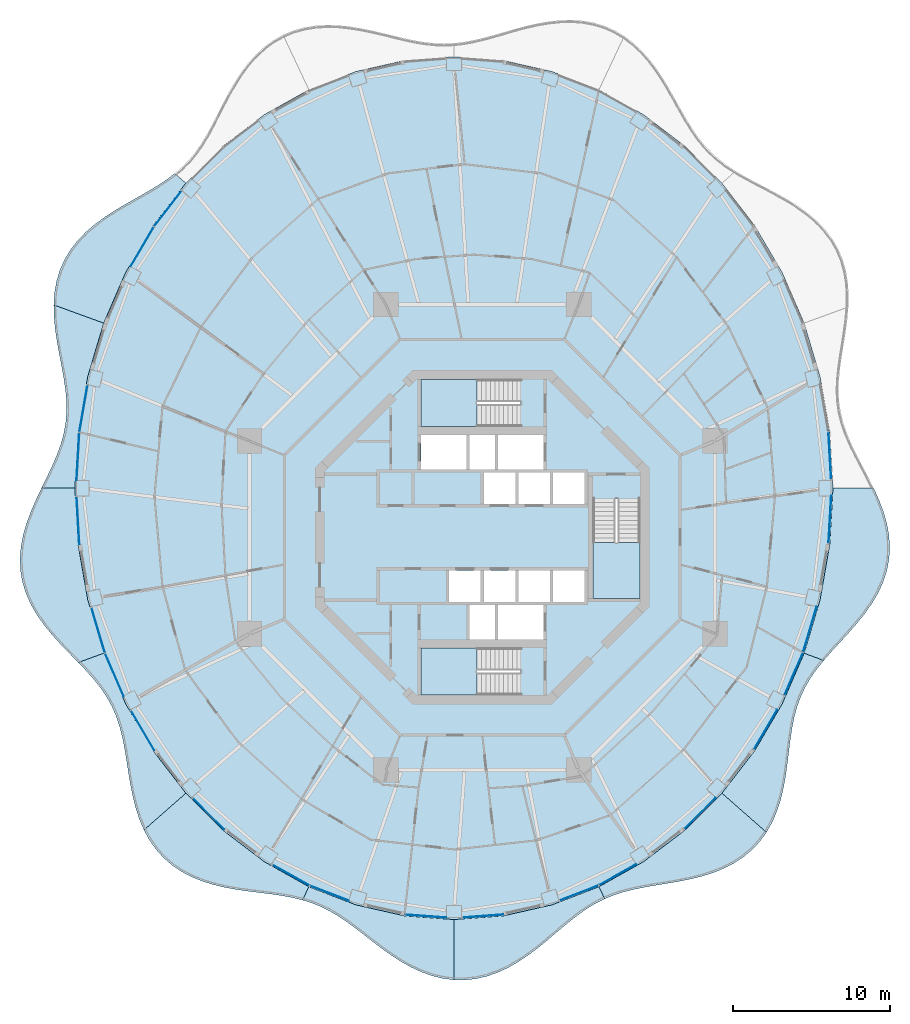
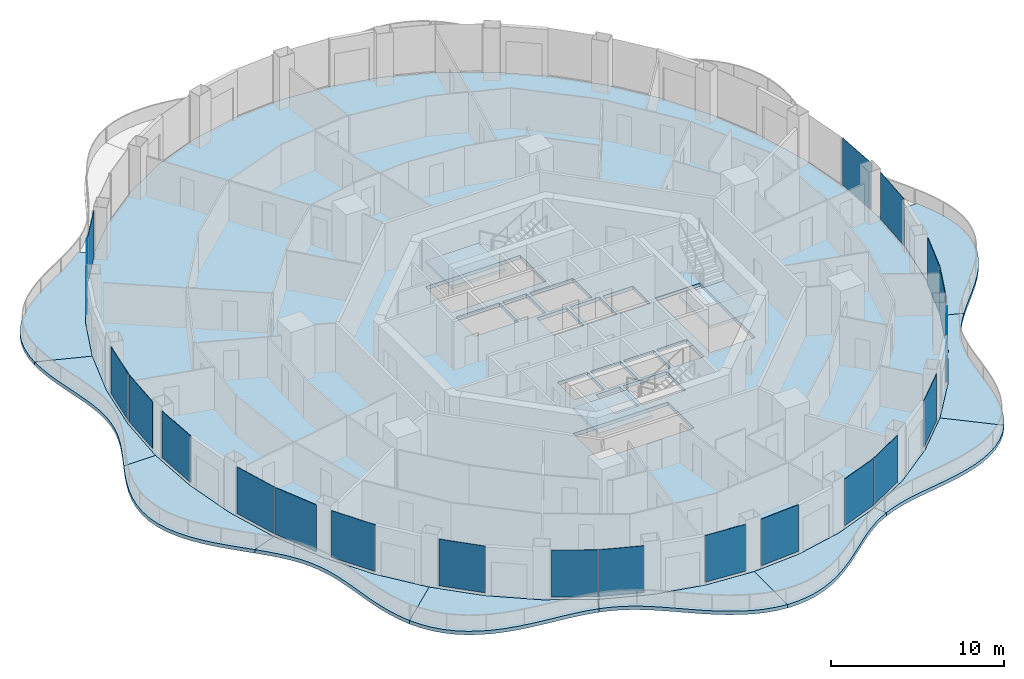
# One storey, part 8 of 18: 21 plates, 14 slabs, 24 elements without a shape of their own.
"""IFC4 building model written with IfcOpenShell, lengths in metres."""

from ifc_helpers import new_model, si_unit, direction, frame, origin, origin_2d, place, context, subcontext, project, spatial, polyline, rectangle, outline, extrude, material, layer, layer_set, type_object, element, aggregate, save


model = new_model("IFC4")

# Units and contexts
model_context = context("Model", 3, precision=1e-05, world=origin(), true_north=direction((0.0, 1.0)))
body_context = subcontext(model_context, "Body", "Model", "MODEL_VIEW")
ifc_project = project(units=[si_unit("LENGTHUNIT", "METRE"), si_unit("AREAUNIT", "SQUARE_METRE"), si_unit("VOLUMEUNIT", "CUBIC_METRE"), si_unit("PLANEANGLEUNIT", "RADIAN"), si_unit("MASSUNIT", "GRAM", prefix="KILO")], contexts=[model_context])

# Site, building, storey
site_placement = place(None, origin())
site = spatial("IfcSite", under=ifc_project, at=site_placement, CompositionType="ELEMENT")
building_placement = place(site_placement, origin())
building = spatial("IfcBuilding", under=site, at=building_placement, Name="Nagisa Residences", CompositionType="ELEMENT")
storey_placement = place(building_placement, frame((0.0, 0.0, 245.5)))
storey = spatial("IfcBuildingStorey", under=building, at=storey_placement, Name="L62", CompositionType="ELEMENT", Elevation=245.5)

# Slabs
ifc_material_1 = material(Name="Concrete C40/50", Category="concrete")
ifc_layer_1 = layer(ifc_material_1, 0.25)
ifc_layer_set_1 = layer_set([ifc_layer_1], Name="BALCONY SLAB 250")
slab_type_1 = type_object("IfcSlabType", Name="BALCONY SLAB 250", PredefinedType="FLOOR", material=ifc_layer_set_1)
slab_1_placement = place(storey_placement, frame((0.0, 0.0, -0.25)))
element("IfcSlab", 1, at=slab_1_placement, inside=storey, type_object=slab_type_1, Name="slab:L62:bal06", PredefinedType="FLOOR", context=body_context, shape_type="SweptSolid", body=[
    extrude(outline(polyline([(-19.5224609375, 23.1025390625), (-20.072509765625, 22.68798828125), (-20.6650390625, 22.297607421875), (-21.29345703125, 21.92138671875), (-21.948974609375, 21.548583984375), (-22.619873046875, 21.168212890625), (-23.291748046875, 20.770263671875), (-23.9501953125, 20.344970703125), (-24.5791015625, 19.88525390625), (-25.1640625, 19.385009765625), (-25.69091796875, 18.84130859375), (-26.148193359375, 18.2529296875), (-26.52734375, 17.621337890625), (-26.82275390625, 16.94970703125), (-27.03271484375, 16.243408203125), (-27.15966796875, 15.509033203125), (-27.209228515625, 14.75390625), (-24.037841796875, 13.599365234375), (-22.645263671875, 16.812744140625), (-20.89599609375, 19.791748046875), (-18.820068359375, 22.4853515625), (-19.5224609375, 23.1025390625)])), origin(), (0.0, 0.0, 1.0), 0.25),
])
slab_2_placement = place(storey_placement, frame((0.0, 0.0, -0.25)))
element("IfcSlab", 2, at=slab_2_placement, inside=storey, type_object=slab_type_1, Name="slab:L62:bal07", PredefinedType="FLOOR", context=body_context, shape_type="SweptSolid", body=[
    extrude(outline(polyline([(-27.209228515625, 14.75390625), (-27.189697265625, 13.96142578125), (-27.111572265625, 13.163818359375), (-26.991455078125, 12.368896484375), (-26.84765625, 11.58349609375), (-26.698974609375, 10.812744140625), (-26.563720703125, 10.0595703125), (-26.458740234375, 9.32568359375), (-26.39892578125, 8.610595703125), (-26.3955078125, 7.912109375), (-26.455078125, 7.2265625), (-26.580810546875, 6.54931640625), (-26.770751953125, 5.87548828125), (-27.018310546875, 5.19970703125), (-27.313232421875, 4.517333984375), (-27.641357421875, 3.82421875), (-27.9853515625, 3.11767578125), (-25.8701171875, 3.11767578125), (-25.6640625, 6.69287109375), (-25.0498046875, 10.206787109375), (-24.037841796875, 13.599365234375), (-27.209228515625, 14.75390625)])), origin(), (0.0, 0.0, 1.0), 0.25),
])
slab_3_placement = place(storey_placement, frame((0.0, 0.0, -0.25)))
element("IfcSlab", 3, at=slab_3_placement, inside=storey, type_object=slab_type_1, Name="slab:L62:bal08", PredefinedType="FLOOR", context=body_context, shape_type="SweptSolid", body=[
    extrude(outline(polyline([(-27.9853515625, 3.11767578125), (-28.326904296875, 2.396484375), (-28.646484375, 1.660888671875), (-28.9248046875, 0.912841796875), (-29.144775390625, 0.155517578125), (-29.290771484375, -0.606201171875), (-29.3515625, -1.36669921875), (-29.31884765625, -2.120361328125), (-29.18994140625, -2.86083984375), (-28.965576171875, -3.5830078125), (-28.65185546875, -4.2822265625), (-28.2587890625, -4.955322265625), (-27.799560546875, -5.601318359375), (-27.290771484375, -6.22021484375), (-26.75, -6.81494140625), (-26.1962890625, -7.389404296875), (-25.64794921875, -7.9501953125), (-24.037841796875, -7.364013671875), (-25.0498046875, -3.971435546875), (-25.6640625, -0.45751953125), (-25.8701171875, 3.11767578125), (-27.9853515625, 3.11767578125)])), origin(), (0.0, 0.0, 1.0), 0.25),
])
slab_4_placement = place(storey_placement, frame((0.0, 0.0, -0.25)))
element("IfcSlab", 4, at=slab_4_placement, inside=storey, type_object=slab_type_1, Name="slab:L62:bal09", PredefinedType="FLOOR", context=body_context, shape_type="SweptSolid", body=[
    extrude(outline(polyline([(-25.64794921875, -7.9501953125), (-25.137451171875, -8.48681640625), (-24.661376953125, -9.024658203125), (-24.229736328125, -9.571044921875), (-23.85009765625, -10.133056640625), (-23.52587890625, -10.717529296875), (-23.25634765625, -11.32958984375), (-23.037841796875, -11.97216796875), (-22.86279296875, -12.646728515625), (-22.720458984375, -13.35205078125), (-22.59814453125, -14.084716796875), (-22.481689453125, -14.838623046875), (-22.355712890625, -15.60546875), (-22.205810546875, -16.37548828125), (-22.017578125, -17.13720703125), (-21.779052734375, -17.87890625), (-21.48046875, -18.587890625), (-18.820068359375, -16.25), (-20.89599609375, -13.556396484375), (-22.645263671875, -10.577392578125), (-24.037841796875, -7.364013671875), (-25.64794921875, -7.9501953125)])), origin(), (0.0, 0.0, 1.0), 0.25),
])
slab_5_placement = place(storey_placement, frame((0.0, 0.0, -0.25)))
element("IfcSlab", 5, at=slab_5_placement, inside=storey, type_object=slab_type_1, Name="slab:L62:bal10", PredefinedType="FLOOR", context=body_context, shape_type="SweptSolid", body=[
    extrude(outline(polyline([(-21.48046875, -18.587890625), (-21.134033203125, -19.22314453125), (-20.7236328125, -19.809326171875), (-20.24951171875, -20.339599609375), (-19.71337890625, -20.808837890625), (-19.120849609375, -21.2138671875), (-18.478515625, -21.554443359375), (-17.79541015625, -21.83349609375), (-17.081787109375, -22.05615234375), (-16.347900390625, -22.229736328125), (-15.604736328125, -22.3642578125), (-14.8623046875, -22.471435546875), (-14.12939453125, -22.5634765625), (-13.413330078125, -22.65380859375), (-12.7197265625, -22.754638671875), (-12.052001953125, -22.87841796875), (-11.41064453125, -23.034912109375), (-11.01123046875, -22.187255859375), (-13.8349609375, -20.602783203125), (-16.452880859375, -18.6123046875), (-18.820068359375, -16.25), (-21.48046875, -18.587890625)])), origin(), (0.0, 0.0, 1.0), 0.25),
])
slab_6_placement = place(storey_placement, frame((0.0, 0.0, -0.25)))
element("IfcSlab", 6, at=slab_6_placement, inside=storey, type_object=slab_type_1, Name="slab:L62:bal11", PredefinedType="FLOOR", context=body_context, shape_type="SweptSolid", body=[
    extrude(outline(polyline([(-11.41064453125, -23.034912109375), (-10.81689453125, -23.224609375), (-10.244140625, -23.456787109375), (-9.688232421875, -23.73388671875), (-9.143798828125, -24.05517578125), (-8.60498046875, -24.4169921875), (-8.0654296875, -24.81298828125), (-7.518798828125, -25.234375), (-6.9599609375, -25.670166015625), (-6.384521484375, -26.10791015625), (-5.78857421875, -26.533447265625), (-5.171142578125, -26.93310546875), (-4.53125, -27.293212890625), (-3.870849609375, -27.600341796875), (-3.1923828125, -27.843505859375), (-2.50048828125, -28.013671875), (-1.800048828125, -28.103759765625), (-1.800048828125, -24.272216796875), (-4.941650390625, -24.0380859375), (-8.02978515625, -23.339111328125), (-11.01123046875, -22.187255859375), (-11.41064453125, -23.034912109375)])), origin(), (0.0, 0.0, 1.0), 0.25),
])
slab_7_placement = place(storey_placement, frame((0.0, 0.0, -0.25)))
element("IfcSlab", 7, at=slab_7_placement, inside=storey, type_object=slab_type_1, Name="slab:L62:bal12", PredefinedType="FLOOR", context=body_context, shape_type="SweptSolid", body=[
    extrude(outline(polyline([(-1.800048828125, -28.103759765625), (-1.0966796875, -28.110595703125), (-0.396728515625, -28.032958984375), (0.2939453125, -27.87353515625), (0.97021484375, -27.6376953125), (1.627685546875, -27.333984375), (2.26318359375, -26.97216796875), (2.875244140625, -26.565185546875), (3.4638671875, -26.1259765625), (4.0302734375, -25.668701171875), (4.578125, -25.20703125), (5.111572265625, -24.75439453125), (5.636474609375, -24.322265625), (6.158447265625, -23.92041015625), (6.684814453125, -23.55615234375), (7.22119140625, -23.234130859375), (7.77392578125, -22.956787109375), (7.4111328125, -22.187255859375), (4.4296875, -23.339111328125), (1.341796875, -24.0380859375), (-1.800048828125, -24.272216796875), (-1.800048828125, -28.103759765625)])), origin(), (0.0, 0.0, 1.0), 0.25),
])
slab_8_placement = place(storey_placement, frame((0.0, 0.0, -0.25)))
element("IfcSlab", 8, at=slab_8_placement, inside=storey, type_object=slab_type_1, Name="slab:L62:bal13", PredefinedType="FLOOR", context=body_context, shape_type="SweptSolid", body=[
    extrude(outline(polyline([(7.77392578125, -22.956787109375), (8.369384765625, -22.71484375), (8.990966796875, -22.515869140625), (9.640380859375, -22.352783203125), (10.3173828125, -22.216552734375), (11.01904296875, -22.095947265625), (11.740478515625, -21.978759765625), (12.474853515625, -21.8525390625), (13.213134765625, -21.70458984375), (13.945556640625, -21.523193359375), (14.6611328125, -21.298095703125), (15.348876953125, -21.02099609375), (15.998291015625, -20.685791015625), (16.599609375, -20.289306640625), (17.145263671875, -19.830322265625), (17.629150390625, -19.310791015625), (18.048095703125, -18.735107421875), (15.219970703125, -16.25), (12.852783203125, -18.6123046875), (10.235107421875, -20.602783203125), (7.4111328125, -22.187255859375), (7.77392578125, -22.956787109375)])), origin(), (0.0, 0.0, 1.0), 0.25),
])
slab_9_placement = place(storey_placement, frame((0.0, 0.0, -0.25)))
element("IfcSlab", 9, at=slab_9_placement, inside=storey, type_object=slab_type_1, Name="slab:L62:bal14", PredefinedType="FLOOR", context=body_context, shape_type="SweptSolid", body=[
    extrude(outline(polyline([(18.048095703125, -18.735107421875), (18.4169921875, -18.07763671875), (18.7158203125, -17.37451171875), (18.951171875, -16.636474609375), (19.13134765625, -15.87548828125), (19.2685546875, -15.102783203125), (19.376220703125, -14.330078125), (19.46923828125, -13.56689453125), (19.563232421875, -12.822265625), (19.672607421875, -12.10205078125), (19.8115234375, -11.410888671875), (19.9912109375, -10.75), (20.220458984375, -10.119140625), (20.50439453125, -9.515625), (20.8447265625, -8.934814453125), (21.23974609375, -8.370849609375), (21.6826171875, -7.817138671875), (20.437744140625, -7.364013671875), (19.045166015625, -10.577392578125), (17.2958984375, -13.556396484375), (15.219970703125, -16.25), (18.048095703125, -18.735107421875)])), origin(), (0.0, 0.0, 1.0), 0.25),
])
slab_10_placement = place(storey_placement, frame((0.0, 0.0, -0.25)))
element("IfcSlab", 10, at=slab_10_placement, inside=storey, type_object=slab_type_1, Name="slab:L62:bal15", PredefinedType="FLOOR", context=body_context, shape_type="SweptSolid", body=[
    extrude(outline(polyline([(21.6826171875, -7.817138671875), (22.1806640625, -7.248779296875), (22.705810546875, -6.675537109375), (23.242431640625, -6.09033203125), (23.771728515625, -5.487548828125), (24.275390625, -4.862548828125), (24.734375, -4.212646484375), (25.13232421875, -3.537109375), (25.4541015625, -2.83740234375), (25.689208984375, -2.11572265625), (25.829833984375, -1.376953125), (25.873779296875, -0.6259765625), (25.822509765625, 0.131591796875), (25.682861328125, 0.8896484375), (25.465087890625, 1.642822265625), (25.183349609375, 2.38671875), (24.854736328125, 3.11767578125), (22.27001953125, 3.11767578125), (22.06396484375, -0.45751953125), (21.449951171875, -3.971435546875), (20.437744140625, -7.364013671875), (21.6826171875, -7.817138671875)])), origin(), (0.0, 0.0, 1.0), 0.25),
])

# Curtain wall, plate
ifc_material_2 = material(Name="Concrete-coloured aluminium curtain wall system", Category="concrete")
ifc_layer_2 = layer(ifc_material_2, 0.159912109375)
ifc_layer_set_2 = layer_set([ifc_layer_2], Name="CW1 CURTAIN WALL")
curtain_wall_type = type_object("IfcCurtainWallType", Name="CW1 CURTAIN WALL", PredefinedType="NOTDEFINED", material=ifc_layer_set_2)
curtain_wall_1_placement = place(storey_placement, origin())
curtain_wall_1 = element("IfcCurtainWall", 11, at=curtain_wall_1_placement, inside=storey, type_object=curtain_wall_type, Name="cw:CW1:L62:00", PredefinedType="NOTDEFINED")
ifc_material_3 = material(Name="Clear laminated glass", Category="glass")
ifc_layer_3 = layer(ifc_material_3, 0.028076171875)
ifc_layer_set_3 = layer_set([ifc_layer_3], Name="CW1 GLASS PANEL")
plate_type = type_object("IfcPlateType", Name="CW1 GLASS PANEL", PredefinedType="CURTAIN_PANEL", material=ifc_layer_set_3)
plate_1_placement = place(storey_placement, frame((22.071044921875, 5.18017578125, 0.14990234375), z_axis=(0.0, 0.0, 1.0), x_axis=(-0.057503492216, 0.998345305184, 0.0)))
plate_1 = element("IfcPlate", 12, at=plate_1_placement, type_object=plate_type, Name="CW1 panel", PredefinedType="CURTAIN_PANEL", context=body_context, shape_type="SweptSolid", body=[
    extrude(rectangle(XDim=3.02099609375, YDim=0.028076171875, at=origin_2d()), origin(), (0.0, 0.0, 1.0), 3.2900390625),
])
aggregate(curtain_wall_1, [plate_1])

curtain_wall_2_placement = place(storey_placement, origin())
curtain_wall_2 = element("IfcCurtainWall", 13, at=curtain_wall_2_placement, inside=storey, type_object=curtain_wall_type, Name="cw:CW1:L62:18", PredefinedType="NOTDEFINED")
plate_2_placement = place(storey_placement, frame((-19.965576171875, 20.867919921875, 0.14990234375), z_axis=(0.0, 0.0, 1.0), x_axis=(-0.610429828235, -0.792070340816, 0.0)))
plate_2 = element("IfcPlate", 14, at=plate_2_placement, type_object=plate_type, Name="CW1 panel", PredefinedType="CURTAIN_PANEL", context=body_context, shape_type="SweptSolid", body=[
    extrude(rectangle(XDim=2.8408203125, YDim=0.028076171875, at=origin_2d()), origin(), (0.0, 0.0, 1.0), 3.2900390625),
])
aggregate(curtain_wall_2, [plate_2])

curtain_wall_3_placement = place(storey_placement, origin())
curtain_wall_3 = element("IfcCurtainWall", 15, at=curtain_wall_3_placement, inside=storey, type_object=curtain_wall_type, Name="cw:CW1:L62:19", PredefinedType="NOTDEFINED")
plate_3_placement = place(storey_placement, frame((-21.59033203125, 18.451416015625, 0.14990234375), z_axis=(0.0, 0.0, 1.0), x_axis=(-0.506348567002, -0.862328898214, 0.0)))
plate_3 = element("IfcPlate", 16, at=plate_3_placement, type_object=plate_type, Name="CW1 panel", PredefinedType="CURTAIN_PANEL", context=body_context, shape_type="SweptSolid", body=[
    extrude(rectangle(XDim=2.89453125, YDim=0.028076171875, at=origin_2d()), origin(), (0.0, 0.0, 1.0), 3.2900390625),
])
aggregate(curtain_wall_3, [plate_3])

curtain_wall_4_placement = place(storey_placement, origin())
curtain_wall_4 = element("IfcCurtainWall", 17, at=curtain_wall_4_placement, inside=storey, type_object=curtain_wall_type, Name="cw:CW1:L62:22", PredefinedType="NOTDEFINED")
plate_4_placement = place(storey_placement, frame((-25.326416015625, 8.16015625, 0.14990234375), z_axis=(0.0, 0.0, 1.0), x_axis=(-0.172190868898, -0.985063604377, 0.0)))
plate_4 = element("IfcPlate", 18, at=plate_4_placement, type_object=plate_type, Name="CW1 panel", PredefinedType="CURTAIN_PANEL", context=body_context, shape_type="SweptSolid", body=[
    extrude(rectangle(XDim=3.00732421875, YDim=0.028076171875, at=origin_2d()), origin(), (0.0, 0.0, 1.0), 3.2900390625),
])
aggregate(curtain_wall_4, [plate_4])

curtain_wall_5_placement = place(storey_placement, origin())
curtain_wall_5 = element("IfcCurtainWall", 19, at=curtain_wall_5_placement, inside=storey, type_object=curtain_wall_type, Name="cw:CW1:L62:23", PredefinedType="NOTDEFINED")
plate_5_placement = place(storey_placement, frame((-25.674560546875, 5.120361328125, 0.14990234375), z_axis=(0.0, 0.0, 1.0), x_axis=(-0.057503492216, -0.998345305184, 0.0)))
plate_5 = element("IfcPlate", 20, at=plate_5_placement, type_object=plate_type, Name="CW1 panel", PredefinedType="CURTAIN_PANEL", context=body_context, shape_type="SweptSolid", body=[
    extrude(rectangle(XDim=3.02099609375, YDim=0.028076171875, at=origin_2d()), origin(), (0.0, 0.0, 1.0), 3.2900390625),
])
aggregate(curtain_wall_5, [plate_5])

curtain_wall_6_placement = place(storey_placement, origin())
curtain_wall_6 = element("IfcCurtainWall", 21, at=curtain_wall_6_placement, inside=storey, type_object=curtain_wall_type, Name="cw:CW1:L62:24", PredefinedType="NOTDEFINED")
plate_6_placement = place(storey_placement, frame((-25.671142578125, 1.05517578125, 0.14990234375), z_axis=(0.0, 0.0, 1.0), x_axis=(0.057503492216, -0.998345305184, 0.0)))
plate_6 = element("IfcPlate", 22, at=plate_6_placement, type_object=plate_type, Name="CW1 panel", PredefinedType="CURTAIN_PANEL", context=body_context, shape_type="SweptSolid", body=[
    extrude(rectangle(XDim=3.02099609375, YDim=0.028076171875, at=origin_2d()), origin(), (0.0, 0.0, 1.0), 3.2900390625),
])
aggregate(curtain_wall_6, [plate_6])

curtain_wall_7_placement = place(storey_placement, origin())
curtain_wall_7 = element("IfcCurtainWall", 23, at=curtain_wall_7_placement, inside=storey, type_object=curtain_wall_type, Name="cw:CW1:L62:26", PredefinedType="NOTDEFINED")
plate_7_placement = place(storey_placement, frame((-24.38720703125, -5.9130859375, 0.14990234375), z_axis=(0.0, 0.0, 1.0), x_axis=(0.285860274038, -0.958271310082, 0.0)))
plate_7 = element("IfcPlate", 24, at=plate_7_placement, type_object=plate_type, Name="CW1 panel", PredefinedType="CURTAIN_PANEL", context=body_context, shape_type="SweptSolid", body=[
    extrude(rectangle(XDim=2.98046875, YDim=0.028076171875, at=origin_2d()), origin(), (0.0, 0.0, 1.0), 3.2900390625),
])
aggregate(curtain_wall_7, [plate_7])

curtain_wall_8_placement = place(storey_placement, origin())
curtain_wall_8 = element("IfcCurtainWall", 25, at=curtain_wall_8_placement, inside=storey, type_object=curtain_wall_type, Name="cw:CW1:L62:27", PredefinedType="NOTDEFINED")
plate_8_placement = place(storey_placement, frame((-23.35546875, -8.737060546875, 0.14990234375), z_axis=(0.0, 0.0, 1.0), x_axis=(0.397635934147, -0.917543276295, 0.0)))
plate_8 = element("IfcPlate", 26, at=plate_8_placement, type_object=plate_type, Name="CW1 panel", PredefinedType="CURTAIN_PANEL", context=body_context, shape_type="SweptSolid", body=[
    extrude(rectangle(XDim=2.942138671875, YDim=0.028076171875, at=origin_2d()), origin(), (0.0, 0.0, 1.0), 3.2900390625),
])
aggregate(curtain_wall_8, [plate_8])

curtain_wall_9_placement = place(storey_placement, origin())
curtain_wall_9 = element("IfcCurtainWall", 27, at=curtain_wall_9_placement, inside=storey, type_object=curtain_wall_type, Name="cw:CW1:L62:28", PredefinedType="NOTDEFINED")
plate_9_placement = place(storey_placement, frame((-21.559814453125, -12.267822265625, 0.14990234375), z_axis=(0.0, 0.0, 1.0), x_axis=(0.506348567002, -0.862328898214, 0.0)))
plate_9 = element("IfcPlate", 28, at=plate_9_placement, type_object=plate_type, Name="CW1 panel", PredefinedType="CURTAIN_PANEL", context=body_context, shape_type="SweptSolid", body=[
    extrude(rectangle(XDim=2.89453125, YDim=0.028076171875, at=origin_2d()), origin(), (0.0, 0.0, 1.0), 3.2900390625),
])
aggregate(curtain_wall_9, [plate_9])

curtain_wall_10_placement = place(storey_placement, origin())
curtain_wall_10 = element("IfcCurtainWall", 29, at=curtain_wall_10_placement, inside=storey, type_object=curtain_wall_type, Name="cw:CW1:L62:30", PredefinedType="NOTDEFINED")
plate_10_placement = place(storey_placement, frame((-17.3818359375, -17.572265625, 0.14990234375), z_axis=(0.0, 0.0, 1.0), x_axis=(0.707835924016, -0.706376885714, 0.0)))
plate_10 = element("IfcPlate", 30, at=plate_10_placement, type_object=plate_type, Name="CW1 panel", PredefinedType="CURTAIN_PANEL", context=body_context, shape_type="SweptSolid", body=[
    extrude(rectangle(XDim=2.7841796875, YDim=0.028076171875, at=origin_2d()), origin(), (0.0, 0.0, 1.0), 3.2900390625),
])
aggregate(curtain_wall_10, [plate_10])

curtain_wall_11_placement = place(storey_placement, origin())
curtain_wall_11 = element("IfcCurtainWall", 31, at=curtain_wall_11_placement, inside=storey, type_object=curtain_wall_type, Name="cw:CW1:L62:32", PredefinedType="NOTDEFINED")
plate_11_placement = place(storey_placement, frame((-12.1396484375, -21.46240234375, 0.14990234375), z_axis=(0.0, 0.0, 1.0), x_axis=(0.872072377523, -0.489376918501, 0.0)))
plate_11 = element("IfcPlate", 32, at=plate_11_placement, type_object=plate_type, Name="CW1 panel", PredefinedType="CURTAIN_PANEL", context=body_context, shape_type="SweptSolid", body=[
    extrude(rectangle(XDim=2.677978515625, YDim=0.028076171875, at=origin_2d()), origin(), (0.0, 0.0, 1.0), 3.2900390625),
])
aggregate(curtain_wall_11, [plate_11])

curtain_wall_12_placement = place(storey_placement, origin())
curtain_wall_12 = element("IfcCurtainWall", 33, at=curtain_wall_12_placement, inside=storey, type_object=curtain_wall_type, Name="cw:CW1:L62:33", PredefinedType="NOTDEFINED")
plate_12_placement = place(storey_placement, frame((-9.69677734375, -22.609375, 0.14990234375), z_axis=(0.0, 0.0, 1.0), x_axis=(0.932825759707, -0.360327770268, 0.0)))
plate_12 = element("IfcPlate", 34, at=plate_12_placement, type_object=plate_type, Name="CW1 panel", PredefinedType="CURTAIN_PANEL", context=body_context, shape_type="SweptSolid", body=[
    extrude(rectangle(XDim=2.63623046875, YDim=0.028076171875, at=origin_2d()), origin(), (0.0, 0.0, 1.0), 3.2900390625),
])
aggregate(curtain_wall_12, [plate_12])

curtain_wall_13_placement = place(storey_placement, origin())
curtain_wall_13 = element("IfcCurtainWall", 35, at=curtain_wall_13_placement, inside=storey, type_object=curtain_wall_type, Name="cw:CW1:L62:35", PredefinedType="NOTDEFINED")
plate_13_placement = place(storey_placement, frame((-3.584228515625, -24.05908203125, 0.14990234375), z_axis=(0.0, 0.0, 1.0), x_axis=(0.997230168512, -0.074377355493, 0.0)))
plate_13 = element("IfcPlate", 36, at=plate_13_placement, type_object=plate_type, Name="CW1 panel", PredefinedType="CURTAIN_PANEL", context=body_context, shape_type="SweptSolid", body=[
    extrude(rectangle(XDim=2.590576171875, YDim=0.028076171875, at=origin_2d()), origin(), (0.0, 0.0, 1.0), 3.2900390625),
])
aggregate(curtain_wall_13, [plate_13])

curtain_wall_14_placement = place(storey_placement, origin())
curtain_wall_14 = element("IfcCurtainWall", 37, at=curtain_wall_14_placement, inside=storey, type_object=curtain_wall_type, Name="cw:CW1:L62:36", PredefinedType="NOTDEFINED")
plate_14_placement = place(storey_placement, frame((0.044189453125, -24.054443359375, 0.14990234375), z_axis=(0.0, 0.0, 1.0), x_axis=(0.997230168512, 0.074377355493, 0.0)))
plate_14 = element("IfcPlate", 38, at=plate_14_placement, type_object=plate_type, Name="CW1 panel", PredefinedType="CURTAIN_PANEL", context=body_context, shape_type="SweptSolid", body=[
    extrude(rectangle(XDim=2.590576171875, YDim=0.028076171875, at=origin_2d()), origin(), (0.0, 0.0, 1.0), 3.2900390625),
])
aggregate(curtain_wall_14, [plate_14])

curtain_wall_15_placement = place(storey_placement, origin())
curtain_wall_15 = element("IfcCurtainWall", 39, at=curtain_wall_15_placement, inside=storey, type_object=curtain_wall_type, Name="cw:CW1:L62:38", PredefinedType="NOTDEFINED")
plate_15_placement = place(storey_placement, frame((6.15283203125, -22.587646484375, 0.14990234375), z_axis=(0.0, 0.0, 1.0), x_axis=(0.932825759707, 0.360327770268, 0.0)))
plate_15 = element("IfcPlate", 40, at=plate_15_placement, type_object=plate_type, Name="CW1 panel", PredefinedType="CURTAIN_PANEL", context=body_context, shape_type="SweptSolid", body=[
    extrude(rectangle(XDim=2.63623046875, YDim=0.028076171875, at=origin_2d()), origin(), (0.0, 0.0, 1.0), 3.2900390625),
])
aggregate(curtain_wall_15, [plate_15])

curtain_wall_16_placement = place(storey_placement, origin())
curtain_wall_16 = element("IfcCurtainWall", 41, at=curtain_wall_16_placement, inside=storey, type_object=curtain_wall_type, Name="cw:CW1:L62:39", PredefinedType="NOTDEFINED")
plate_16_placement = place(storey_placement, frame((8.592041015625, -21.432861328125, 0.14990234375), z_axis=(0.0, 0.0, 1.0), x_axis=(0.872072377523, 0.489376918501, 0.0)))
plate_16 = element("IfcPlate", 42, at=plate_16_placement, type_object=plate_type, Name="CW1 panel", PredefinedType="CURTAIN_PANEL", context=body_context, shape_type="SweptSolid", body=[
    extrude(rectangle(XDim=2.677978515625, YDim=0.028076171875, at=origin_2d()), origin(), (0.0, 0.0, 1.0), 3.2900390625),
])
aggregate(curtain_wall_16, [plate_16])

curtain_wall_17_placement = place(storey_placement, origin())
curtain_wall_17 = element("IfcCurtainWall", 43, at=curtain_wall_17_placement, inside=storey, type_object=curtain_wall_type, Name="cw:CW1:L62:41", PredefinedType="NOTDEFINED")
plate_17_placement = place(storey_placement, frame((13.82421875, -17.52978515625, 0.14990234375), z_axis=(0.0, 0.0, 1.0), x_axis=(0.707835924016, 0.706376885714, 0.0)))
plate_17 = element("IfcPlate", 44, at=plate_17_placement, type_object=plate_type, Name="CW1 panel", PredefinedType="CURTAIN_PANEL", context=body_context, shape_type="SweptSolid", body=[
    extrude(rectangle(XDim=2.7841796875, YDim=0.028076171875, at=origin_2d()), origin(), (0.0, 0.0, 1.0), 3.2900390625),
])
aggregate(curtain_wall_17, [plate_17])

curtain_wall_18_placement = place(storey_placement, origin())
curtain_wall_18 = element("IfcCurtainWall", 45, at=curtain_wall_18_placement, inside=storey, type_object=curtain_wall_type, Name="cw:CW1:L62:43", PredefinedType="NOTDEFINED")
plate_18_placement = place(storey_placement, frame((17.990234375, -12.216064453125, 0.14990234375), z_axis=(0.0, 0.0, 1.0), x_axis=(0.506348567002, 0.862328898214, 0.0)))
plate_18 = element("IfcPlate", 46, at=plate_18_placement, type_object=plate_type, Name="CW1 panel", PredefinedType="CURTAIN_PANEL", context=body_context, shape_type="SweptSolid", body=[
    extrude(rectangle(XDim=2.89453125, YDim=0.028076171875, at=origin_2d()), origin(), (0.0, 0.0, 1.0), 3.2900390625),
])
aggregate(curtain_wall_18, [plate_18])

curtain_wall_19_placement = place(storey_placement, origin())
curtain_wall_19 = element("IfcCurtainWall", 47, at=curtain_wall_19_placement, inside=storey, type_object=curtain_wall_type, Name="cw:CW1:L62:44", PredefinedType="NOTDEFINED")
plate_19_placement = place(storey_placement, frame((19.779541015625, -8.681884765625, 0.14990234375), z_axis=(0.0, 0.0, 1.0), x_axis=(0.397635934147, 0.917543276295, 0.0)))
plate_19 = element("IfcPlate", 48, at=plate_19_placement, type_object=plate_type, Name="CW1 panel", PredefinedType="CURTAIN_PANEL", context=body_context, shape_type="SweptSolid", body=[
    extrude(rectangle(XDim=2.942138671875, YDim=0.028076171875, at=origin_2d()), origin(), (0.0, 0.0, 1.0), 3.2900390625),
])
aggregate(curtain_wall_19, [plate_19])

curtain_wall_20_placement = place(storey_placement, origin())
curtain_wall_20 = element("IfcCurtainWall", 49, at=curtain_wall_20_placement, inside=storey, type_object=curtain_wall_type, Name="cw:CW1:L62:45", PredefinedType="NOTDEFINED")
plate_20_placement = place(storey_placement, frame((20.80419921875, -5.855712890625, 0.14990234375), z_axis=(0.0, 0.0, 1.0), x_axis=(0.285860274038, 0.958271310082, 0.0)))
plate_20 = element("IfcPlate", 50, at=plate_20_placement, type_object=plate_type, Name="CW1 panel", PredefinedType="CURTAIN_PANEL", context=body_context, shape_type="SweptSolid", body=[
    extrude(rectangle(XDim=2.98046875, YDim=0.028076171875, at=origin_2d()), origin(), (0.0, 0.0, 1.0), 3.2900390625),
])
aggregate(curtain_wall_20, [plate_20])

curtain_wall_21_placement = place(storey_placement, origin())
curtain_wall_21 = element("IfcCurtainWall", 51, at=curtain_wall_21_placement, inside=storey, type_object=curtain_wall_type, Name="cw:CW1:L62:47", PredefinedType="NOTDEFINED")
plate_21_placement = place(storey_placement, frame((22.074462890625, 1.114990234375, 0.14990234375), z_axis=(0.0, 0.0, 1.0), x_axis=(0.057503492216, 0.998345305184, 0.0)))
plate_21 = element("IfcPlate", 52, at=plate_21_placement, type_object=plate_type, Name="CW1 panel", PredefinedType="CURTAIN_PANEL", context=body_context, shape_type="SweptSolid", body=[
    extrude(rectangle(XDim=3.02099609375, YDim=0.028076171875, at=origin_2d()), origin(), (0.0, 0.0, 1.0), 3.2900390625),
])
aggregate(curtain_wall_21, [plate_21])

# Slab
ifc_material_4 = material(Name="Concrete C40", Category="concrete")
ifc_layer_4 = layer(ifc_material_4, 0.260009765625)
ifc_layer_set_4 = layer_set([ifc_layer_4], Name="Floor slab 260")
slab_type_2 = type_object("IfcSlabType", Name="Floor slab 260", PredefinedType="FLOOR", material=ifc_layer_set_4)
slab_11_placement = place(storey_placement, frame((0.0, 0.0, -0.260009765625)))
element("IfcSlab", 53, at=slab_11_placement, inside=storey, type_object=slab_type_2, Name="slab:L62:floor", PredefinedType="FLOOR", context=body_context, shape_type="SweptSolid", body=[
    extrude(outline(polyline([(22.27001953125, 3.11767578125), (22.06396484375, 6.69287109375), (21.449951171875, 10.206787109375), (20.437744140625, 13.599365234375), (19.045166015625, 16.812744140625), (17.2958984375, 19.791748046875), (15.219970703125, 22.4853515625), (12.852783203125, 24.84765625), (10.235107421875, 26.838134765625), (7.4111328125, 28.4228515625), (4.4296875, 29.574462890625), (1.341796875, 30.2734375), (-1.800048828125, 30.5078125), (-4.941650390625, 30.2734375), (-8.02978515625, 29.574462890625), (-11.01123046875, 28.4228515625), (-13.8349609375, 26.838134765625), (-16.452880859375, 24.84765625), (-18.820068359375, 22.4853515625), (-20.89599609375, 19.791748046875), (-22.645263671875, 16.812744140625), (-24.037841796875, 13.599365234375), (-25.0498046875, 10.206787109375), (-25.6640625, 6.69287109375), (-25.8701171875, 3.11767578125), (-25.6640625, -0.45751953125), (-25.0498046875, -3.971435546875), (-24.037841796875, -7.364013671875), (-22.645263671875, -10.577392578125), (-20.89599609375, -13.556396484375), (-18.820068359375, -16.25), (-16.452880859375, -18.6123046875), (-13.8349609375, -20.602783203125), (-11.01123046875, -22.187255859375), (-8.02978515625, -23.339111328125), (-4.941650390625, -24.0380859375), (-1.800048828125, -24.272216796875), (1.341796875, -24.0380859375), (4.4296875, -23.339111328125), (7.4111328125, -22.187255859375), (10.235107421875, -20.602783203125), (12.852783203125, -18.6123046875), (15.219970703125, -16.25), (17.2958984375, -13.556396484375), (19.045166015625, -10.577392578125), (20.437744140625, -7.364013671875), (21.449951171875, -3.971435546875), (22.06396484375, -0.45751953125), (22.27001953125, 3.11767578125)]), holes=[polyline([(2.10009765625, 2.10009765625), (2.10009765625, 4.10009765625), (0.10009765625, 4.10009765625), (0.10009765625, 2.10009765625), (2.10009765625, 2.10009765625)]), polyline([(4.300048828125, 2.10009765625), (4.300048828125, 4.10009765625), (2.300048828125, 4.10009765625), (2.300048828125, 2.10009765625), (4.300048828125, 2.10009765625)]), polyline([(6.5, 2.10009765625), (6.5, 4.10009765625), (4.5, 4.10009765625), (4.5, 2.10009765625), (6.5, 2.10009765625)]), polyline([(-0.10009765625, -4.10009765625), (-0.10009765625, -2.10009765625), (-2.10009765625, -2.10009765625), (-2.10009765625, -4.10009765625), (-0.10009765625, -4.10009765625)]), polyline([(2.10009765625, -4.10009765625), (2.10009765625, -2.10009765625), (0.10009765625, -2.10009765625), (0.10009765625, -4.10009765625), (2.10009765625, -4.10009765625)]), polyline([(4.300048828125, -4.10009765625), (4.300048828125, -2.10009765625), (2.300048828125, -2.10009765625), (2.300048828125, -4.10009765625), (4.300048828125, -4.10009765625)]), polyline([(6.5, -4.10009765625), (6.5, -2.10009765625), (4.5, -2.10009765625), (4.5, -4.10009765625), (6.5, -4.10009765625)]), polyline([(3.89990234375, 4.300048828125), (3.89990234375, 6.5), (1.0, 6.5), (1.0, 4.300048828125), (3.89990234375, 4.300048828125)]), polyline([(3.89990234375, -6.5), (3.89990234375, -4.300048828125), (1.0, -4.300048828125), (1.0, -6.5), (3.89990234375, -6.5)]), polyline([(-1.0, 4.300048828125), (-1.0, 6.5), (-3.89990234375, 6.5), (-3.89990234375, 4.300048828125), (-1.0, 4.300048828125)]), polyline([(0.800048828125, 4.300048828125), (0.800048828125, 6.5), (-0.800048828125, 6.5), (-0.800048828125, 4.300048828125), (0.800048828125, 4.300048828125)]), polyline([(0.800048828125, -6.5), (0.800048828125, -4.300048828125), (-0.800048828125, -4.300048828125), (-0.800048828125, -6.5), (0.800048828125, -6.5)]), polyline([(10.024658203125, -3.89990234375), (7.024658203125, -3.89990234375), (7.024658203125, 2.425048828125), (10.024658203125, 2.425048828125), (10.024658203125, -3.89990234375)]), polyline([(-3.89990234375, 7.024658203125), (-3.89990234375, 10.024658203125), (2.425048828125, 10.024658203125), (2.425048828125, 7.024658203125), (-3.89990234375, 7.024658203125)]), polyline([(-3.89990234375, -10.024658203125), (-3.89990234375, -7.024658203125), (2.425048828125, -7.024658203125), (2.425048828125, -10.024658203125), (-3.89990234375, -10.024658203125)])]), origin(), (0.0, 0.0, 1.0), 0.260009765625),
])

# Stair, slab
ifc_material_5 = material(Name="Concrete C60", Category="concrete")
stair_type = type_object("IfcStairType", Name="Exit stair", PredefinedType="HALF_TURN_STAIR", material=ifc_material_5)
stair_1_placement = place(storey_placement, origin())
stair_1 = element("IfcStair", 54, at=stair_1_placement, inside=storey, type_object=stair_type, Name="L62 Exit stair E", PredefinedType="HALF_TURN_STAIR")
ifc_material_6 = material(Name="Concrete C60", Category="concrete")
ifc_layer_5 = layer(ifc_material_6, 0.199951171875)
ifc_layer_set_5 = layer_set([ifc_layer_5], Name="Stair landing")
slab_type_3 = type_object("IfcSlabType", Name="Stair landing", PredefinedType="LANDING", material=ifc_layer_set_5)
slab_12_placement = place(storey_placement, frame((0.0, 0.0, 1.64990234375)))
slab_12 = element("IfcSlab", 55, at=slab_12_placement, type_object=slab_type_3, Name="ST-E landing 1", PredefinedType="LANDING", context=body_context, shape_type="SweptSolid", body=[
    extrude(outline(polyline([(7.024658203125, -0.324951171875), (7.024658203125, -3.89990234375), (10.024658203125, -3.89990234375), (10.024658203125, -0.324951171875), (7.024658203125, -0.324951171875)])), origin(), (0.0, 0.0, 1.0), 0.2001953125),
])
aggregate(stair_1, [slab_12])

stair_2_placement = place(storey_placement, origin())
stair_2 = element("IfcStair", 56, at=stair_2_placement, inside=storey, type_object=stair_type, Name="L62 Exit stair N", PredefinedType="HALF_TURN_STAIR")
slab_13_placement = place(storey_placement, frame((0.0, 0.0, 1.64990234375)))
slab_13 = element("IfcSlab", 57, at=slab_13_placement, type_object=slab_type_3, Name="ST-N landing 1", PredefinedType="LANDING", context=body_context, shape_type="SweptSolid", body=[
    extrude(outline(polyline([(-0.324951171875, 10.024658203125), (-3.89990234375, 10.024658203125), (-3.89990234375, 7.024658203125), (-0.324951171875, 7.024658203125), (-0.324951171875, 10.024658203125)])), origin(), (0.0, 0.0, 1.0), 0.2001953125),
])
aggregate(stair_2, [slab_13])

stair_3_placement = place(storey_placement, origin())
stair_3 = element("IfcStair", 58, at=stair_3_placement, inside=storey, type_object=stair_type, Name="L62 Exit stair S", PredefinedType="HALF_TURN_STAIR")
slab_14_placement = place(storey_placement, frame((0.0, 0.0, 1.64990234375)))
slab_14 = element("IfcSlab", 59, at=slab_14_placement, type_object=slab_type_3, Name="ST-S landing 1", PredefinedType="LANDING", context=body_context, shape_type="SweptSolid", body=[
    extrude(outline(polyline([(-0.324951171875, -7.024658203125), (-3.89990234375, -7.024658203125), (-3.89990234375, -10.024658203125), (-0.324951171875, -10.024658203125), (-0.324951171875, -7.024658203125)])), origin(), (0.0, 0.0, 1.0), 0.2001953125),
])
aggregate(stair_3, [slab_14])

save(model, "model.ifc")
